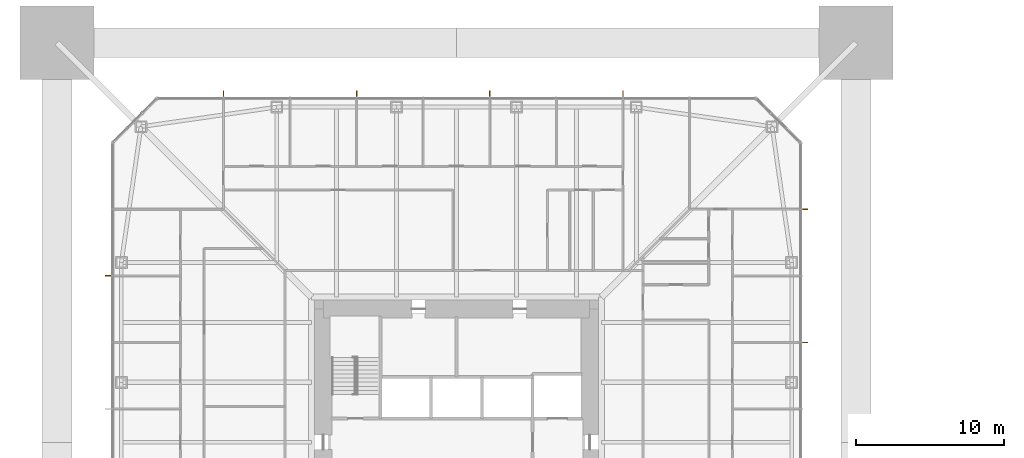
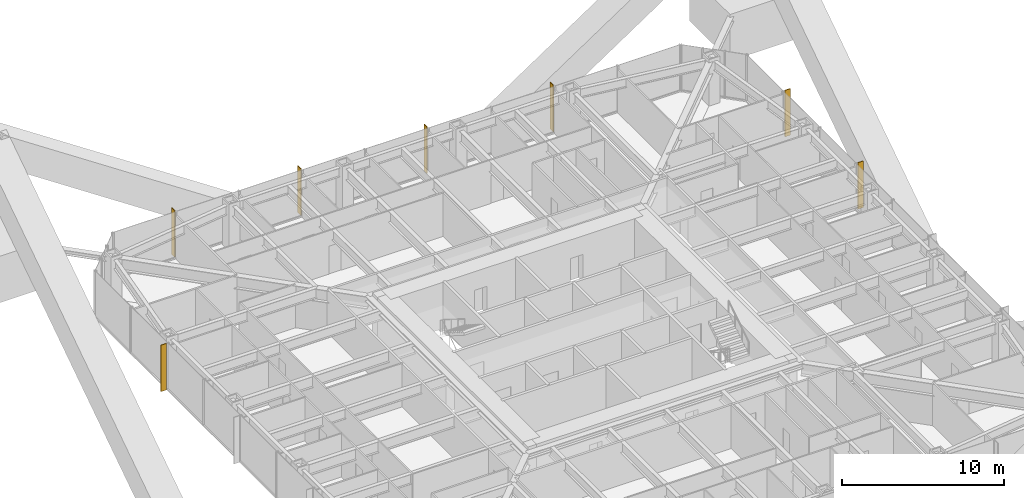
# One storey, part 26 of 27: 7 shading devices.
"""IFC4 building model written with IfcOpenShell, lengths in metres."""

from ifc_helpers import new_model, si_unit, direction, frame, origin, origin_2d, place, context, subcontext, project, spatial, rectangle, extrude, material, layer, layer_set, type_object, element, save


model = new_model("IFC4")

# Units and contexts
model_context = context("Model", 3, precision=1e-05, world=origin(), true_north=direction((0.0, 1.0)))
body_context = subcontext(model_context, "Body", "Model", "MODEL_VIEW")
ifc_project = project(units=[si_unit("LENGTHUNIT", "METRE"), si_unit("AREAUNIT", "SQUARE_METRE"), si_unit("VOLUMEUNIT", "CUBIC_METRE"), si_unit("PLANEANGLEUNIT", "RADIAN"), si_unit("MASSUNIT", "GRAM", prefix="KILO")], contexts=[model_context])

# Site, building, storey
site_placement = place(None, origin())
site = spatial("IfcSite", under=ifc_project, at=site_placement, CompositionType="ELEMENT")
building_placement = place(site_placement, origin())
building = spatial("IfcBuilding", under=site, at=building_placement, Name="Iwan Alto Co-Living Towers", CompositionType="ELEMENT")
storey_placement = place(building_placement, frame((0.0, 0.0, 25.5)))
storey = spatial("IfcBuildingStorey", under=building, at=storey_placement, Name="L06", CompositionType="ELEMENT", Elevation=25.5)

# Shading devices
ifc_material = material(Name="Aluminium 6063-T6 bronze anodised", Category="aluminium")
ifc_layer = layer(ifc_material, 0.050048828125)
ifc_layer_set = layer_set([ifc_layer], Name="BRONZE FIN 50X400")
shading_device_type = type_object("IfcShadingDeviceType", Name="BRONZE FIN 50X400", PredefinedType="USERDEFINED", material=ifc_layer_set)
for number, where, z_axis, x_axis, name in (
    (1, (23.550048828125, 6.75, 0.0), (0.0, 0.0, 1.0), (0.0, 1.0, 0.0), "Bronze fin L06"),
    (2, (23.550048828125, 15.75, 0.0), (0.0, 0.0, 1.0), (0.0, 1.0, 0.0), "Bronze fin L06"),
    (3, (11.25, 23.550048828125, 0.0), (0.0, 0.0, 1.0), (-1.0, 0.0, 0.0), "Bronze fin L06"),
    (4, (2.25, 23.550048828125, 0.0), (0.0, 0.0, 1.0), (-1.0, 0.0, 0.0), "Bronze fin L06"),
    (5, (-6.75, 23.550048828125, 0.0), (0.0, 0.0, 1.0), (-1.0, 0.0, 0.0), "Bronze fin L06"),
    (6, (-15.75, 23.550048828125, 0.0), (0.0, 0.0, 1.0), (-1.0, 0.0, 0.0), "Bronze fin L06"),
    (7, (-23.550048828125, 11.25, 0.0), (0.0, 0.0, 1.0), (0.0, -1.0, 0.0), "Bronze fin L06"),
):
    element("IfcShadingDevice", number, at=place(storey_placement, frame(where, z_axis=z_axis, x_axis=x_axis)), inside=storey, type_object=shading_device_type, Name=name, ObjectType="LOUVER", PredefinedType="USERDEFINED", context=body_context, shape_type="SweptSolid", body=[
        extrude(rectangle(XDim=0.050048828125, YDim=0.39990234375, at=origin_2d()), origin(), (0.0, 0.0, 1.0), 3.5),
    ])

save(model, "model.ifc")
